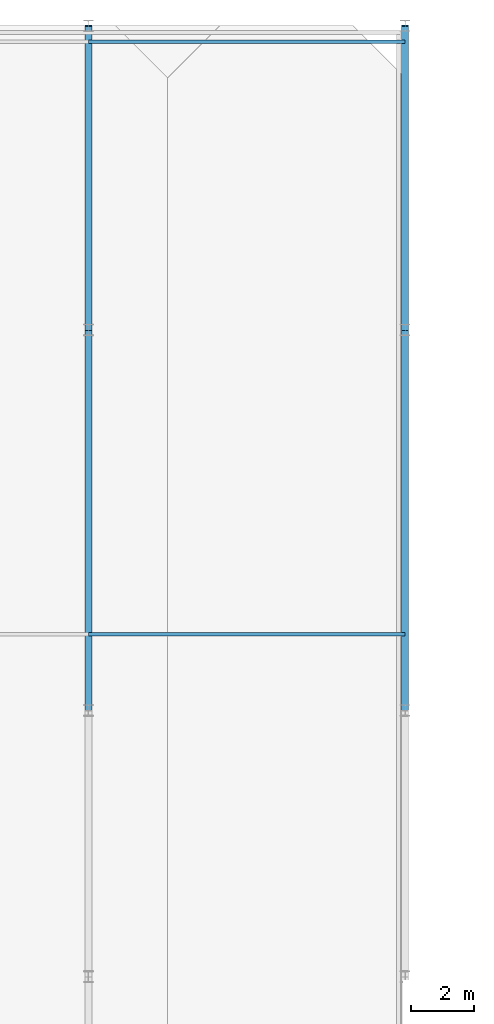
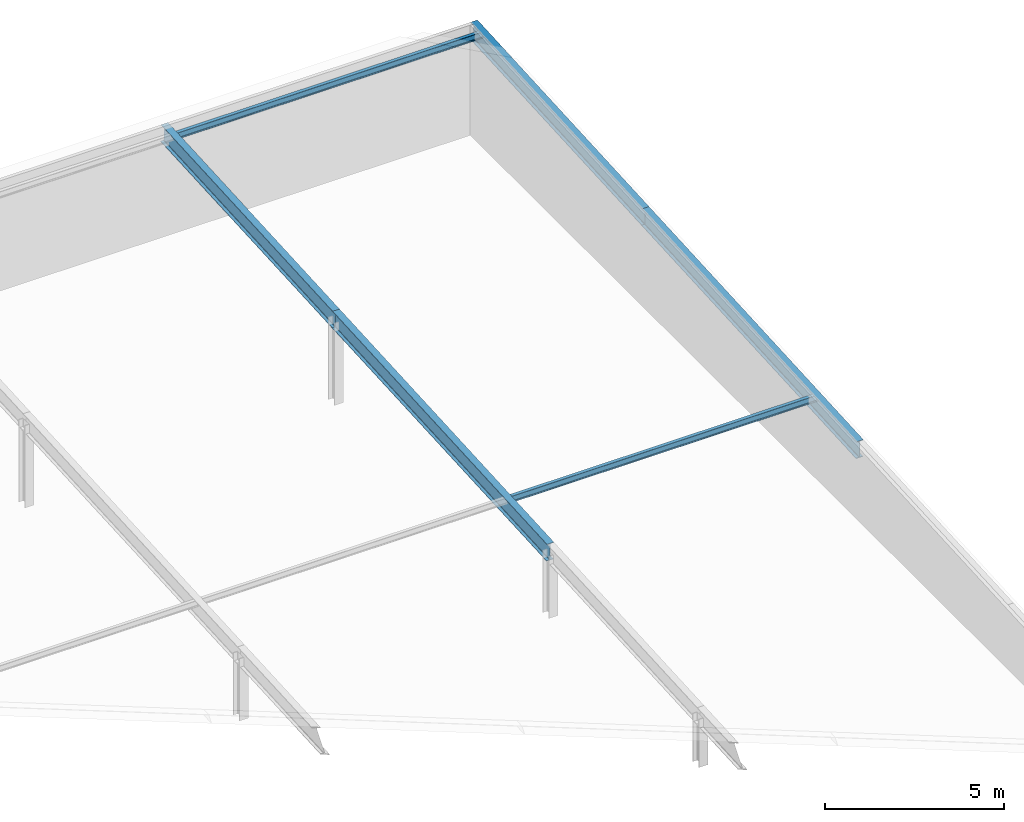
# One storey, part 28 of 57: 4 beams, 2 members.
"""IFC4 building model written with IfcOpenShell, lengths in metres."""

from ifc_helpers import new_model, si_unit, direction, frame, origin, origin_2d, place, context, subcontext, project, spatial, i_section, extrude, material, material_profile, profile_set, type_object, element, save


model = new_model("IFC4")

# Units and contexts
model_context = context("Model", 3, precision=1e-05, world=origin(), true_north=direction((0.0, 1.0)))
body_context = subcontext(model_context, "Body", "Model", "MODEL_VIEW")
ifc_project = project(units=[si_unit("LENGTHUNIT", "METRE"), si_unit("AREAUNIT", "SQUARE_METRE"), si_unit("VOLUMEUNIT", "CUBIC_METRE"), si_unit("PLANEANGLEUNIT", "RADIAN"), si_unit("MASSUNIT", "GRAM", prefix="KILO")], contexts=[model_context])

# Site, building, storey
site_placement = place(None, origin())
site = spatial("IfcSite", under=ifc_project, at=site_placement, CompositionType="ELEMENT")
building_placement = place(site_placement, origin())
building = spatial("IfcBuilding", under=site, at=building_placement, Name="Zereglee Splitstone Museum", CompositionType="ELEMENT")
storey_placement = place(building_placement, frame((0.0, 0.0, 17.10009765625)))
storey = spatial("IfcBuildingStorey", under=building, at=storey_placement, Name="L03", CompositionType="ELEMENT", Elevation=17.10009765625)

# Members
ifc_material = material(Name="Steel S355J2", Category="steel")
ifc_material_profile_1 = material_profile(ifc_material, i_section(OverallWidth=0.110107421875, OverallDepth=0.219970703125, WebThickness=0.005859375, FlangeThickness=0.00927734375, FilletRadius=0.011962890625, at=origin_2d()), Name="IPE 220")
ifc_profile_set_1 = profile_set([ifc_material_profile_1], Name="Steel S355J2")
member_type = type_object("IfcMemberType", Name="PR-04", PredefinedType="PURLIN", material=ifc_profile_set_1)
for number, where, z_axis, x_axis, name in (
    (1, (195.199951171875, 40.800048828125, 2.4453125), (1.0, 0.0, 0.0), (0.0, 1.0, 0.0), "Roof Purlin RF-V4 (195.2-205.2)"),
    (2, (195.199951171875, 59.5, 3.516845703125), (1.0, 0.0, 0.0), (0.0, 1.0, 0.0), "Roof Purlin RF-V4 (195.2-205.2)"),
):
    element("IfcMember", number, at=place(storey_placement, frame(where, z_axis=z_axis, x_axis=x_axis)), inside=storey, type_object=member_type, Name=name, PredefinedType="PURLIN", context=body_context, shape_type="SweptSolid", body=[
        extrude(i_section(OverallWidth=0.110107421875, OverallDepth=0.219970703125, WebThickness=0.005859375, FlangeThickness=0.00927734375, FilletRadius=0.011962890625, at=origin_2d()), origin(), (0.0, 0.0, 1.0), 10.0),
    ])

# Beams
ifc_material_profile_2 = material_profile(ifc_material, i_section(OverallWidth=0.219970703125, OverallDepth=0.60009765625, WebThickness=0.011962890625, FlangeThickness=0.01904296875, FilletRadius=0.02392578125, at=origin_2d()), Name="IPE 600")
ifc_profile_set_2 = profile_set([ifc_material_profile_2], Name="Steel S355J2")
beam_type = type_object("IfcBeamType", Name="RR-01", PredefinedType="BEAM", material=ifc_profile_set_2)
beam_1_placement = place(storey_placement, frame((195.199951171875, 38.39990234375, 2.12158203125), z_axis=(0.0, 0.998362861592, 0.057197872279), x_axis=(-1.0, 0.0, 0.0)))
element("IfcBeam", 3, at=beam_1_placement, inside=storey, type_object=beam_type, Name="Sloped Roof Girder RF-V4 X=195.2 (38.4-50.4)", PredefinedType="BEAM", context=body_context, shape_type="SweptSolid", body=[
    extrude(i_section(OverallWidth=0.219970703125, OverallDepth=0.60009765625, WebThickness=0.011962890625, FlangeThickness=0.01904296875, FilletRadius=0.02392578125, at=origin_2d()), origin(), (0.0, 0.0, 1.0), 12.019775390625),
])
beam_2_placement = place(storey_placement, frame((195.199951171875, 50.39990234375, 2.80908203125), z_axis=(0.0, 0.998362604839, 0.057202353611), x_axis=(-1.0, 0.0, 0.0)))
element("IfcBeam", 4, at=beam_2_placement, inside=storey, type_object=beam_type, Name="Sloped Roof Girder RF-V4 X=195.2 (50.4-60.0)", PredefinedType="BEAM", context=body_context, shape_type="SweptSolid", body=[
    extrude(i_section(OverallWidth=0.219970703125, OverallDepth=0.60009765625, WebThickness=0.011962890625, FlangeThickness=0.01904296875, FilletRadius=0.02392578125, at=origin_2d()), origin(), (0.0, 0.0, 1.0), 9.61572265625),
])
beam_3_placement = place(storey_placement, frame((205.199951171875, 38.39990234375, 2.12158203125), z_axis=(0.0, 0.998362861592, 0.057197872279), x_axis=(-1.0, 0.0, 0.0)))
element("IfcBeam", 5, at=beam_3_placement, inside=storey, type_object=beam_type, Name="Sloped Roof Girder RF-V4 X=205.2 (38.4-50.4)", PredefinedType="BEAM", context=body_context, shape_type="SweptSolid", body=[
    extrude(i_section(OverallWidth=0.219970703125, OverallDepth=0.60009765625, WebThickness=0.011962890625, FlangeThickness=0.01904296875, FilletRadius=0.02392578125, at=origin_2d()), origin(), (0.0, 0.0, 1.0), 12.019775390625),
])
beam_4_placement = place(storey_placement, frame((205.199951171875, 50.39990234375, 2.80908203125), z_axis=(0.0, 0.998362604839, 0.057202353611), x_axis=(-1.0, 0.0, 0.0)))
element("IfcBeam", 6, at=beam_4_placement, inside=storey, type_object=beam_type, Name="Sloped Roof Girder RF-V4 X=205.2 (50.4-60.0)", PredefinedType="BEAM", context=body_context, shape_type="SweptSolid", body=[
    extrude(i_section(OverallWidth=0.219970703125, OverallDepth=0.60009765625, WebThickness=0.011962890625, FlangeThickness=0.01904296875, FilletRadius=0.02392578125, at=origin_2d()), origin(), (0.0, 0.0, 1.0), 9.61572265625),
])

save(model, "model.ifc")
